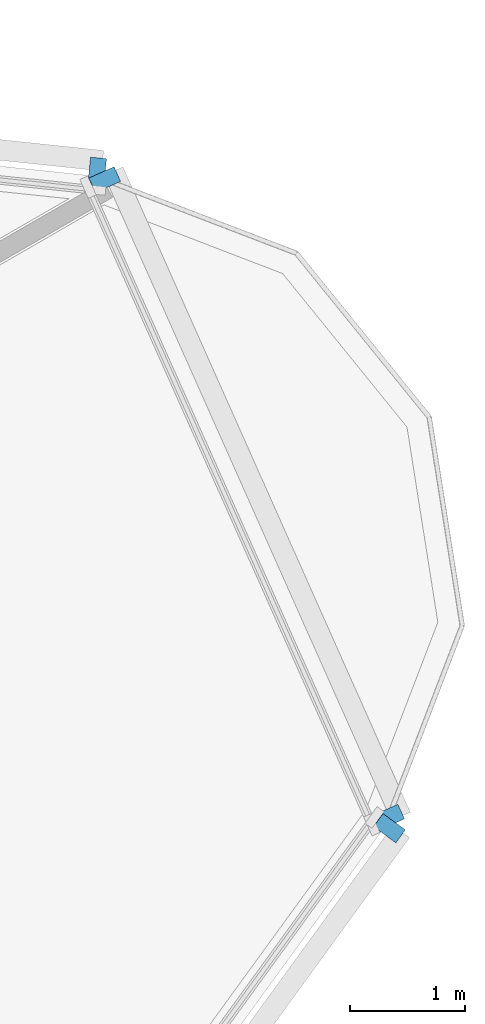
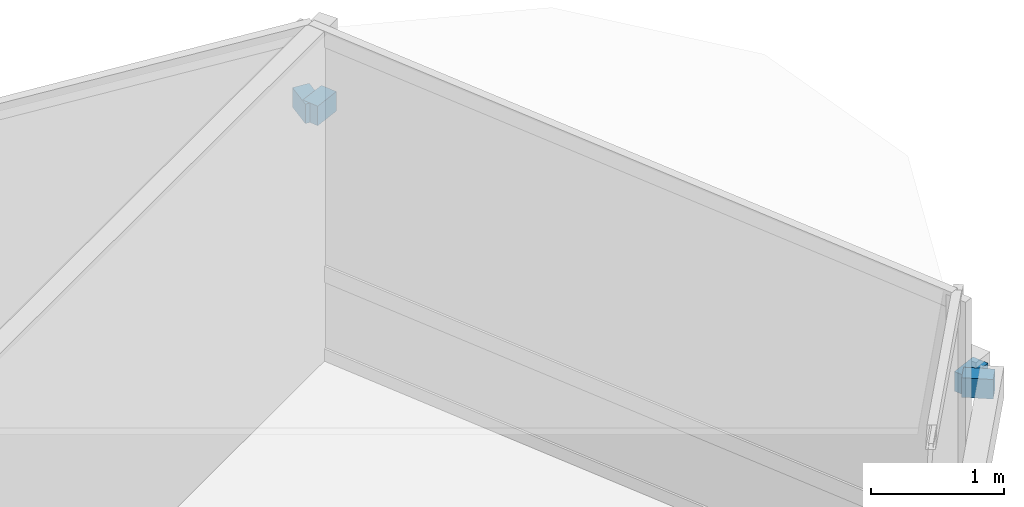
# One storey, part 11 of 14: 4 discrete accessories.
"""IFC4 building model written with IfcOpenShell, lengths in metres."""

from ifc_helpers import new_model, si_unit, direction, frame, origin, origin_2d, place, context, subcontext, project, spatial, rectangle, extrude, material, type_object, element, save


model = new_model("IFC4")

# Units and contexts
model_context = context("Model", 3, precision=1e-05, world=origin(), true_north=direction((0.0, 1.0)))
body_context = subcontext(model_context, "Body", "Model", "MODEL_VIEW")
ifc_project = project(units=[si_unit("LENGTHUNIT", "METRE"), si_unit("AREAUNIT", "SQUARE_METRE"), si_unit("VOLUMEUNIT", "CUBIC_METRE"), si_unit("PLANEANGLEUNIT", "RADIAN"), si_unit("MASSUNIT", "GRAM", prefix="KILO")], contexts=[model_context])

# Site, building, storey
site_placement = place(None, origin())
site = spatial("IfcSite", under=ifc_project, at=site_placement, CompositionType="ELEMENT")
building_placement = place(site_placement, origin())
building = spatial("IfcBuilding", under=site, at=building_placement, Name="Terralouvre Media Tower", CompositionType="ELEMENT")
storey_placement = place(building_placement, frame((0.0, 0.0, 241.10009765625)))
storey = spatial("IfcBuildingStorey", under=building, at=storey_placement, Name="L62", CompositionType="ELEMENT", Elevation=241.10009765625)

# Discrete accessories
ifc_material = material(Name="Anodised extruded aluminium 6063-T6", Category="aluminium")
discrete_accessory_type = type_object("IfcDiscreteAccessoryType", Name="Mullion Stand-Off Baguette Fixing Bracket BK-01", PredefinedType="BRACKET", material=ifc_material)
for number, where, z_axis, x_axis, name in (
    (1, (26.880615234375, 8.544189453125, 2.07373046875), (0.0, 0.0, 1.0), (0.587785300879, 0.809016959074, 0.0), "CW-L62-F0 Baguette Outrigger Bracket 1.06"),
    (2, (24.336181640625, 14.259033203125, 2.07373046875), (0.0, 0.0, 1.0), (-0.994521885028, 0.104528561651, 0.0), "CW-L62-F1 Baguette Outrigger Bracket 1.01"),
    (3, (26.873291015625, 8.640380859375, 2.07373046875), (0.0, 0.0, 1.0), (-0.406737441315, 0.913545102243, 0.0), "CW-L62-C1 Baguette Outrigger Bracket 1.01"),
    (4, (24.40283203125, 14.189208984375, 2.07373046875), (0.0, 0.0, 1.0), (-0.406737441315, 0.913545102243, 0.0), "CW-L62-C1 Baguette Outrigger Bracket 1.02"),
):
    element("IfcDiscreteAccessory", number, at=place(storey_placement, frame(where, z_axis=z_axis, x_axis=x_axis)), inside=storey, type_object=discrete_accessory_type, Name=name, PredefinedType="BRACKET", context=body_context, shape_type="SweptSolid", body=[
        extrude(rectangle(XDim=0.139892578125, YDim=0.239990234375, at=origin_2d()), origin(), (0.0, 0.0, 1.0), 0.179931640625),
    ])

save(model, "model.ifc")
